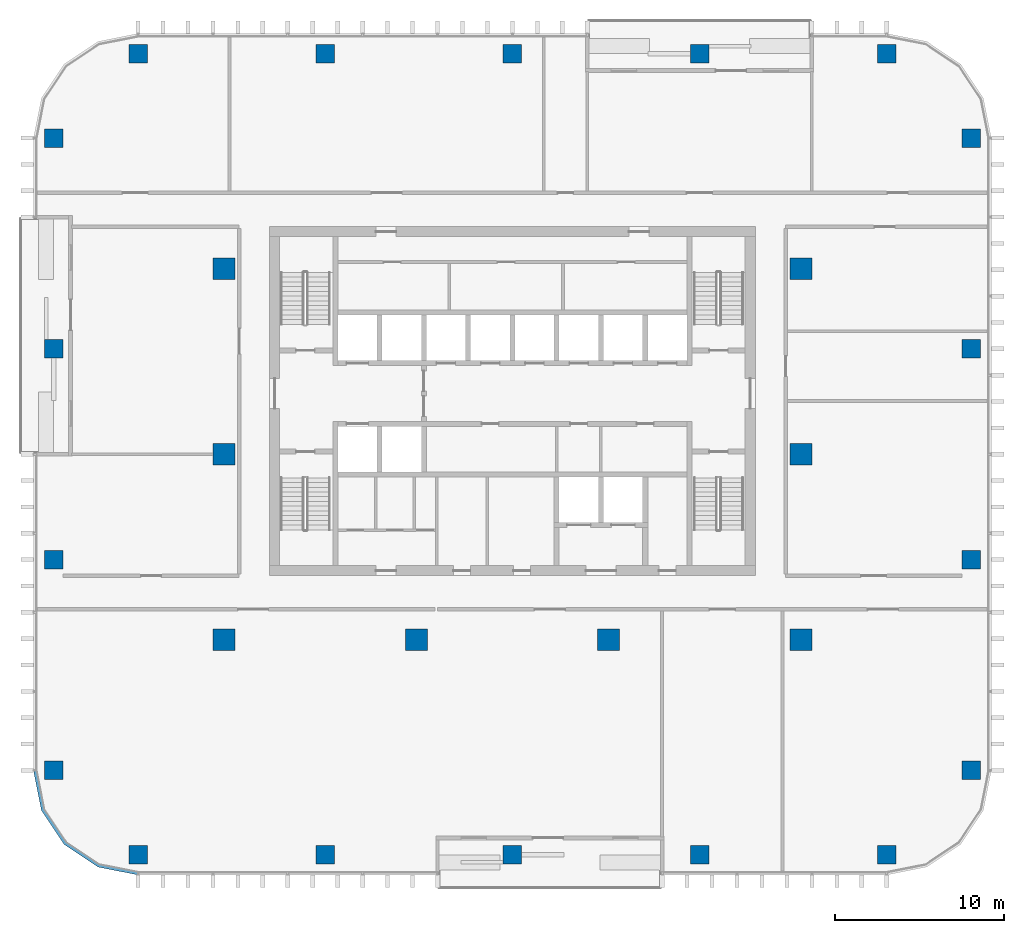
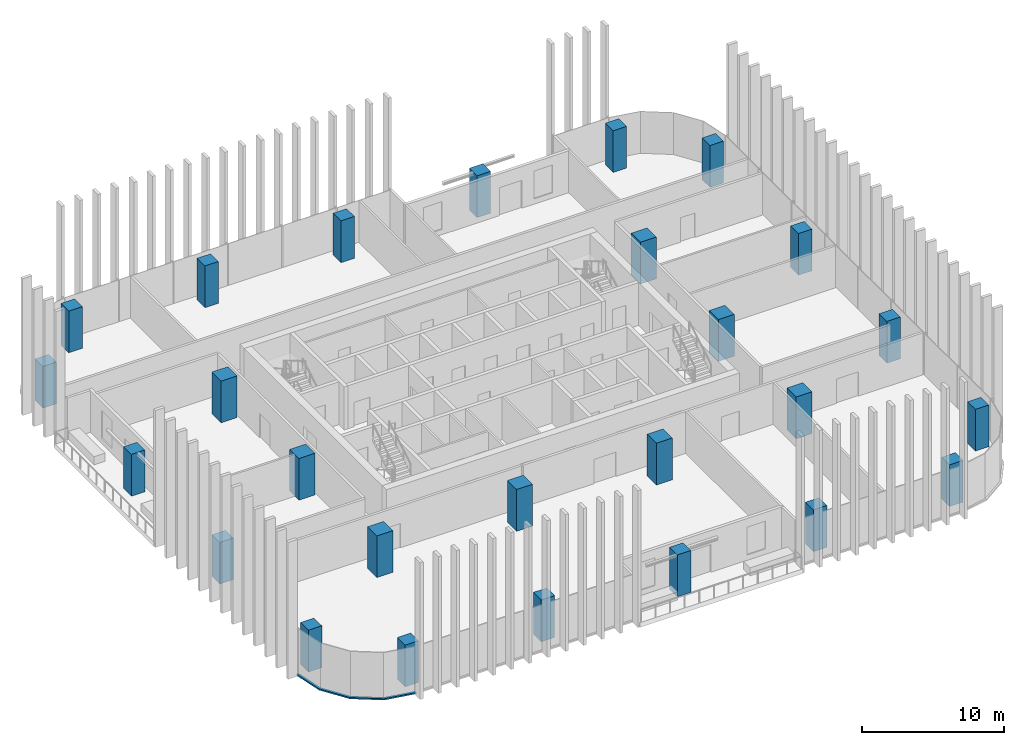
# One storey, part 1 of 16: 26 columns, 1 member, 1 element without a shape of its own.
"""IFC4 building model written with IfcOpenShell, lengths in metres."""

from ifc_helpers import new_model, si_unit, direction, frame, origin, origin_2d, place, context, subcontext, project, spatial, polyline, rectangle, outline, extrude, material, material_profile, profile_set, type_object, element, aggregate, save


model = new_model("IFC4")

# Units and contexts
model_context = context("Model", 3, precision=1e-05, world=origin(), true_north=direction((0.0, 1.0)))
body_context = subcontext(model_context, "Body", "Model", "MODEL_VIEW")
ifc_project = project(units=[si_unit("LENGTHUNIT", "METRE"), si_unit("AREAUNIT", "SQUARE_METRE"), si_unit("VOLUMEUNIT", "CUBIC_METRE"), si_unit("PLANEANGLEUNIT", "RADIAN"), si_unit("MASSUNIT", "GRAM", prefix="KILO")], contexts=[model_context])

# Site, building, storey
site_placement = place(None, origin())
site = spatial("IfcSite", under=ifc_project, at=site_placement, CompositionType="ELEMENT")
building_placement = place(site_placement, origin())
building = spatial("IfcBuilding", under=site, at=building_placement, Name="Mopane Tessera Tower", CompositionType="ELEMENT")
storey_placement = place(building_placement, frame((0.0, 0.0, 247.0)))
storey = spatial("IfcBuildingStorey", under=building, at=storey_placement, Name="L53", CompositionType="ELEMENT", Elevation=247.0)

# Columns
ifc_material_1 = material(Name="Concrete C50/60", Category="concrete")
ifc_material_profile_1 = material_profile(ifc_material_1, rectangle(XDim=1.300048828125, YDim=1.300048828125, at=origin_2d()))
ifc_profile_set_1 = profile_set([ifc_material_profile_1], Name="Concrete C50/60")
column_type_1 = type_object("IfcColumnType", Name="Interior column 1300 x 1300 C50/60", PredefinedType="COLUMN", material=ifc_profile_set_1)
for number, where, z_axis, x_axis, name in (
    (1, (-17.10009765625, -11.0, 0.0), (0.0, 0.0, 1.0), (1.0, 0.0, 0.0), "Interior column I1A L53"),
    (2, (-17.10009765625, 0.0, 0.0), (0.0, 0.0, 1.0), (1.0, 0.0, 0.0), "Interior column I1B L53"),
    (3, (-17.10009765625, 11.0, 0.0), (0.0, 0.0, 1.0), (1.0, 0.0, 0.0), "Interior column I1C L53"),
    (4, (-5.699951171875, -11.0, 0.0), (0.0, 0.0, 1.0), (1.0, 0.0, 0.0), "Interior column I2A L53"),
    (5, (5.699951171875, -11.0, 0.0), (0.0, 0.0, 1.0), (1.0, 0.0, 0.0), "Interior column I3A L53"),
    (6, (17.10009765625, -11.0, 0.0), (0.0, 0.0, 1.0), (1.0, 0.0, 0.0), "Interior column I4A L53"),
    (7, (17.10009765625, 0.0, 0.0), (0.0, 0.0, 1.0), (1.0, 0.0, 0.0), "Interior column I4B L53"),
    (8, (17.10009765625, 11.0, 0.0), (0.0, 0.0, 1.0), (1.0, 0.0, 0.0), "Interior column I4C L53"),
):
    element("IfcColumn", number, at=place(storey_placement, frame(where, z_axis=z_axis, x_axis=x_axis)), inside=storey, type_object=column_type_1, Name=name, PredefinedType="COLUMN", context=body_context, shape_type="SweptSolid", body=[
        extrude(rectangle(XDim=1.300048828125, YDim=1.300048828125, at=origin_2d()), origin(), (0.0, 0.0, 1.0), 3.60009765625),
    ])
ifc_material_2 = material(Name="Concrete C50/60", Category="concrete")
ifc_material_profile_2 = material_profile(ifc_material_2, rectangle(XDim=1.10009765625, YDim=1.10009765625, at=origin_2d()))
ifc_profile_set_2 = profile_set([ifc_material_profile_2], Name="Concrete C50/60")
column_type_2 = type_object("IfcColumnType", Name="Ring column 1100 x 1100 C50/60", PredefinedType="COLUMN", material=ifc_profile_set_2)
for number, where, z_axis, x_axis, name in (
    (9, (-22.199951171875, -23.75, 0.0), (0.0, 0.0, 1.0), (1.0, 0.0, 0.0), "Ring column S0 L53"),
    (10, (-11.10009765625, -23.75, 0.0), (0.0, 0.0, 1.0), (1.0, 0.0, 0.0), "Ring column S1 L53"),
    (11, (0.0, -23.75, 0.0), (0.0, 0.0, 1.0), (1.0, 0.0, 0.0), "Ring column S2 L53"),
    (12, (11.10009765625, -23.75, 0.0), (0.0, 0.0, 1.0), (1.0, 0.0, 0.0), "Ring column S3 L53"),
    (13, (22.199951171875, -23.75, 0.0), (0.0, 0.0, 1.0), (1.0, 0.0, 0.0), "Ring column S4 L53"),
    (14, (27.199951171875, -18.75, 0.0), (0.0, 0.0, 1.0), (1.0, 0.0, 0.0), "Ring column E0 L53"),
    (15, (27.199951171875, -6.25, 0.0), (0.0, 0.0, 1.0), (1.0, 0.0, 0.0), "Ring column E1 L53"),
    (16, (27.199951171875, 6.25, 0.0), (0.0, 0.0, 1.0), (1.0, 0.0, 0.0), "Ring column E2 L53"),
    (17, (27.199951171875, 18.75, 0.0), (0.0, 0.0, 1.0), (1.0, 0.0, 0.0), "Ring column E3 L53"),
    (18, (22.199951171875, 23.75, 0.0), (0.0, 0.0, 1.0), (1.0, 0.0, 0.0), "Ring column N0 L53"),
    (19, (11.10009765625, 23.75, 0.0), (0.0, 0.0, 1.0), (1.0, 0.0, 0.0), "Ring column N1 L53"),
    (20, (0.0, 23.75, 0.0), (0.0, 0.0, 1.0), (1.0, 0.0, 0.0), "Ring column N2 L53"),
    (21, (-11.10009765625, 23.75, 0.0), (0.0, 0.0, 1.0), (1.0, 0.0, 0.0), "Ring column N3 L53"),
    (22, (-22.199951171875, 23.75, 0.0), (0.0, 0.0, 1.0), (1.0, 0.0, 0.0), "Ring column N4 L53"),
    (23, (-27.199951171875, 18.75, 0.0), (0.0, 0.0, 1.0), (1.0, 0.0, 0.0), "Ring column W0 L53"),
    (24, (-27.199951171875, 6.25, 0.0), (0.0, 0.0, 1.0), (1.0, 0.0, 0.0), "Ring column W1 L53"),
    (25, (-27.199951171875, -6.25, 0.0), (0.0, 0.0, 1.0), (1.0, 0.0, 0.0), "Ring column W2 L53"),
    (26, (-27.199951171875, -18.75, 0.0), (0.0, 0.0, 1.0), (1.0, 0.0, 0.0), "Ring column W3 L53"),
):
    element("IfcColumn", number, at=place(storey_placement, frame(where, z_axis=z_axis, x_axis=x_axis)), inside=storey, type_object=column_type_2, Name=name, PredefinedType="COLUMN", context=body_context, shape_type="SweptSolid", body=[
        extrude(rectangle(XDim=1.10009765625, YDim=1.10009765625, at=origin_2d()), origin(), (0.0, 0.0, 1.0), 3.60009765625),
    ])

# Curtain wall, member
ifc_material_3 = material(Name="Aluminium frame", Category="aluminium")
curtain_wall_type = type_object("IfcCurtainWallType", Name="Unitised curtain wall", PredefinedType="NOTDEFINED", material=ifc_material_3)
curtain_wall_placement = place(storey_placement, origin())
curtain_wall = element("IfcCurtainWall", 27, at=curtain_wall_placement, inside=storey, type_object=curtain_wall_type, Name="e:cw:L53:CW", PredefinedType="NOTDEFINED")
ifc_material_4 = material(Name="Aluminium frame", Category="aluminium")
ifc_material_profile_3 = material_profile(ifc_material_4, rectangle(XDim=0.199951171875, YDim=0.1201171875, at=origin_2d()))
ifc_profile_set_3 = profile_set([ifc_material_profile_3], Name="Aluminium frame")
member_type = type_object("IfcMemberType", Name="Aluminium transom 200 x 120", PredefinedType="USERDEFINED", material=ifc_profile_set_3)
member_placement = place(storey_placement, frame((0.0, 0.0, -0.39990234375)))
member = element("IfcMember", 28, at=member_placement, type_object=member_type, Name="e:cw:L53:CW:tr", ObjectType="TRANSOM", PredefinedType="USERDEFINED", context=body_context, shape_type="SweptSolid", body=[
    extrude(outline(polyline([(-28.199951171875, -18.75), (-27.7431640625, -21.046142578125), (-26.442626953125, -22.99267578125), (-24.49609375, -24.293212890625), (-22.199951171875, -24.75), (-22.199951171875, -24.949951171875), (-24.57275390625, -24.47802734375), (-26.583984375, -23.134033203125), (-27.927978515625, -21.12255859375), (-28.39990234375, -18.75), (-28.199951171875, -18.75)])), origin(), (0.0, 0.0, 1.0), 0.119873046875),
])
aggregate(curtain_wall, [member])

save(model, "model.ifc")
